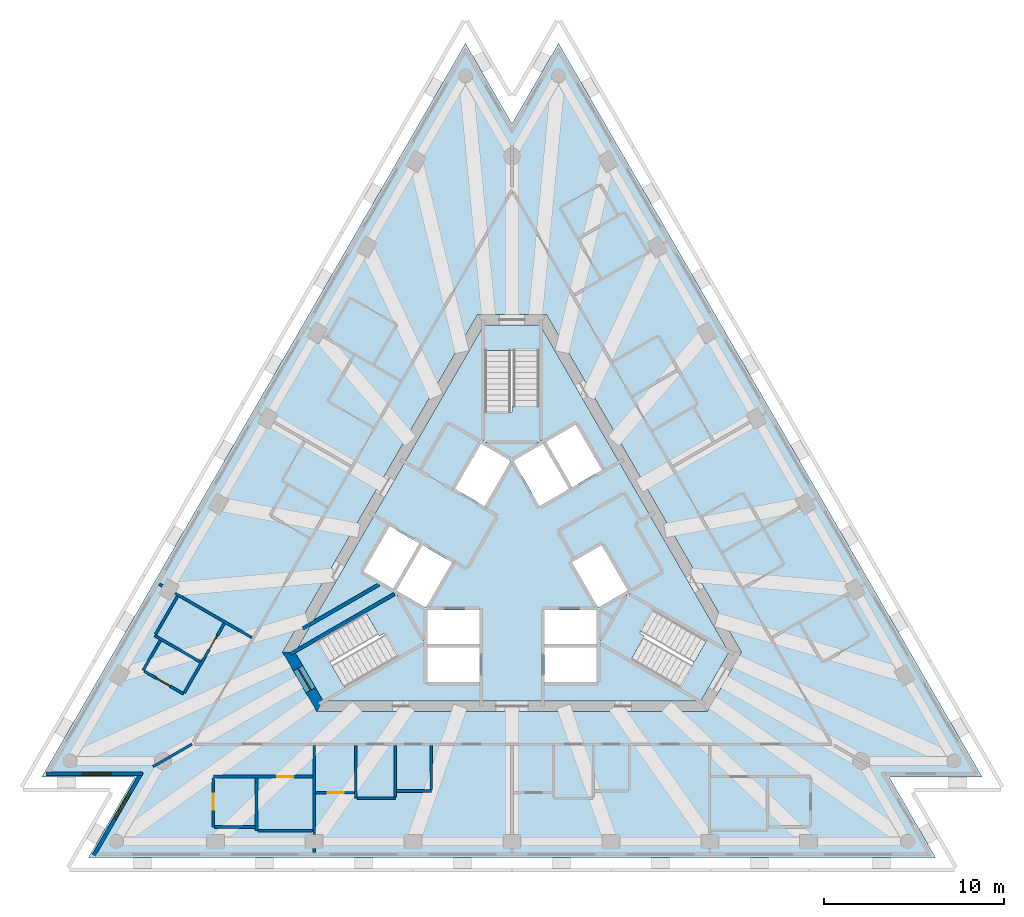
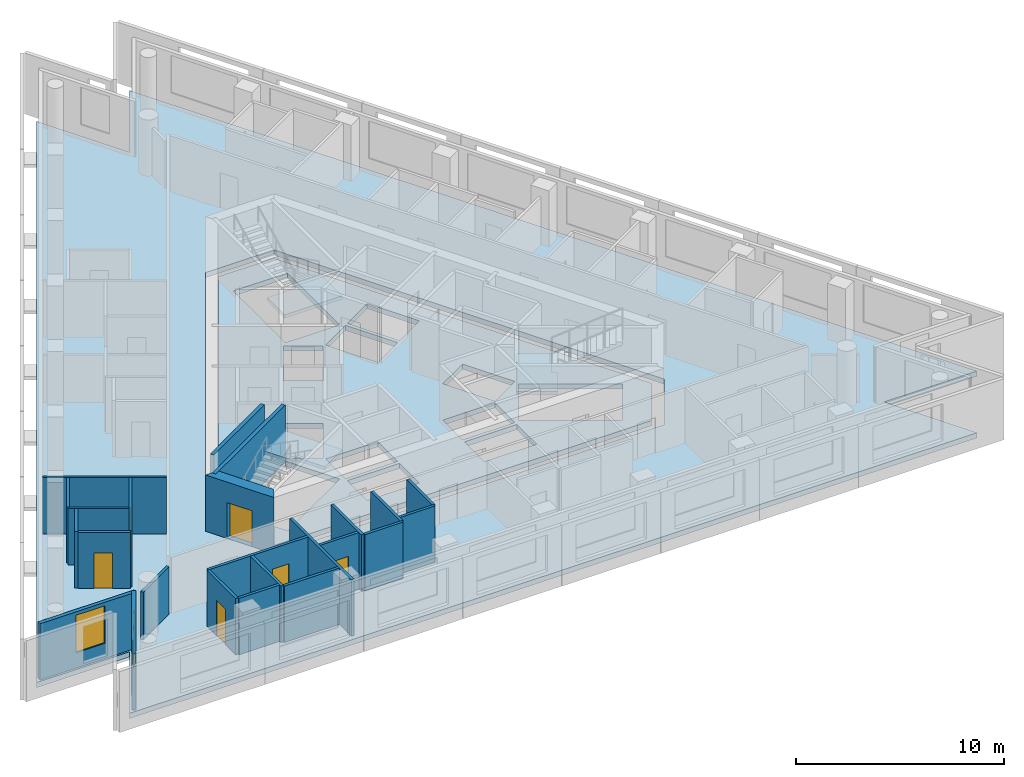
# One storey, part 2 of 9: 24 walls, 6 doors, 5 slabs, 2 windows, 8 openings, 3 elements without a shape of their own.
"""IFC4 building model written with IfcOpenShell, lengths in metres."""

from ifc_helpers import new_model, si_unit, direction, frame, frame_2d, origin, place, context, subcontext, project, spatial, polyline, rectangle, outline, extrude, material, layer, layer_set, layer_usage, type_object, element, fill, aggregate, save


model = new_model("IFC4")

# Units and contexts
model_context = context("Model", 3, precision=1e-05, world=origin(), true_north=direction((0.0, 1.0)))
body_context = subcontext(model_context, "Body", "Model", "MODEL_VIEW")
ifc_project = project(units=[si_unit("LENGTHUNIT", "METRE"), si_unit("AREAUNIT", "SQUARE_METRE"), si_unit("VOLUMEUNIT", "CUBIC_METRE"), si_unit("PLANEANGLEUNIT", "RADIAN"), si_unit("MASSUNIT", "GRAM", prefix="KILO")], contexts=[model_context])

# Site, building, storey
site_placement = place(None, origin())
site = spatial("IfcSite", under=ifc_project, at=site_placement, CompositionType="ELEMENT")
building_placement = place(site_placement, origin())
building = spatial("IfcBuilding", under=site, at=building_placement, Name="Triada Interchange Tower", CompositionType="ELEMENT")
storey_placement = place(building_placement, frame((0.0, 0.0, 282.699951171875)))
storey = spatial("IfcBuildingStorey", under=building, at=storey_placement, Name="L66", CompositionType="ELEMENT", Elevation=282.699951171875)

# Slabs
ifc_material_1 = material(Name="Concrete C50/60", Category="concrete")
ifc_layer_1 = layer(ifc_material_1, 0.300048828125)
ifc_layer_set_1 = layer_set([ifc_layer_1], Name="Floor slab 300")
slab_type_1 = type_object("IfcSlabType", Name="Floor slab 300", PredefinedType="FLOOR", material=ifc_layer_set_1)
slab_1_placement = place(storey_placement, frame((0.0, 0.0, -0.300048828125)))
element("IfcSlab", 1, at=slab_1_placement, inside=storey, type_object=slab_type_1, Name="Floor slab L66", PredefinedType="FLOOR", context=body_context, shape_type="SweptSolid", body=[
    extrude(outline(polyline([(-2.5810546875, 28.637939453125), (-26.092041015625, -12.083984375), (-20.930908203125, -12.083984375), (-23.510986328125, -16.553955078125), (23.510986328125, -16.553955078125), (20.930908203125, -12.083984375), (26.092041015625, -12.083984375), (2.5810546875, 28.637939453125), (0.0, 24.1689453125), (-2.5810546875, 28.637939453125)]), holes=[polyline([(1.905029296875, 13.60009765625), (-1.905029296875, 13.60009765625), (-12.73095703125, -5.14990234375), (-10.824951171875, -8.449951171875), (10.824951171875, -8.449951171875), (12.73095703125, -5.14990234375), (1.905029296875, 13.60009765625)])]), origin(), (0.0, 0.0, 1.0), 0.300048828125),
])
slab_2_placement = place(storey_placement, frame((0.0, 0.0, -0.300048828125)))
element("IfcSlab", 2, at=slab_2_placement, inside=storey, type_object=slab_type_1, Name="Core floor slab L66 1", PredefinedType="FLOOR", context=body_context, shape_type="SweptSolid", body=[
    extrude(outline(polyline([(12.0380859375, -5.14990234375), (10.47900390625, -7.85009765625), (-10.47900390625, -7.85009765625), (-12.0380859375, -5.14990234375), (-1.55908203125, 13.0), (1.55908203125, 13.0), (12.0380859375, -5.14990234375)]), holes=[polyline([(9.2958984375, -7.09912109375), (10.7958984375, -4.5009765625), (6.466064453125, -2.0009765625), (4.966064453125, -4.59912109375), (9.2958984375, -7.09912109375)]), polyline([(4.969970703125, 0.791015625), (3.324951171875, -0.158935546875), (4.77490234375, -2.669921875), (6.419921875, -1.719970703125), (4.969970703125, 0.791015625)]), polyline([(1.89404296875, 6.52001953125), (3.343994140625, 4.009033203125), (4.989013671875, 4.958984375), (3.5390625, 7.469970703125), (1.89404296875, 6.52001953125)]), polyline([(1.800048828125, -4.89990234375), (1.800048828125, -6.4990234375), (1.800048828125, -6.800048828125), (4.699951171875, -6.800048828125), (4.699951171875, -4.89990234375), (1.800048828125, -4.89990234375)]), polyline([(4.699951171875, -2.800048828125), (1.800048828125, -2.800048828125), (1.800048828125, -4.699951171875), (4.699951171875, -4.699951171875), (4.699951171875, -2.800048828125)]), polyline([(1.52490234375, 2.958984375), (2.594970703125, 3.576904296875), (3.169921875, 3.908935546875), (1.719970703125, 6.419921875), (0.074951171875, 5.469970703125), (1.52490234375, 2.958984375)]), polyline([(-1.5, 11.60009765625), (-1.5, 6.60009765625), (1.5, 6.60009765625), (1.5, 11.60009765625), (-1.5, 11.60009765625)]), polyline([(-1.52490234375, 2.958984375), (-0.074951171875, 5.469970703125), (-1.719970703125, 6.419921875), (-3.169921875, 3.908935546875), (-1.52490234375, 2.958984375)]), polyline([(-1.800048828125, -2.800048828125), (-4.699951171875, -2.800048828125), (-4.699951171875, -4.699951171875), (-1.800048828125, -4.699951171875), (-1.800048828125, -2.800048828125)]), polyline([(-4.699951171875, -6.800048828125), (-1.800048828125, -6.800048828125), (-1.800048828125, -6.4990234375), (-1.800048828125, -4.89990234375), (-4.699951171875, -4.89990234375), (-4.699951171875, -6.800048828125)]), polyline([(-3.427978515625, -0.09912109375), (-4.969970703125, 0.791015625), (-6.419921875, -1.719970703125), (-4.77490234375, -2.669921875), (-3.324951171875, -0.158935546875), (-3.427978515625, -0.09912109375)]), polyline([(-10.7958984375, -4.5009765625), (-9.2958984375, -7.09912109375), (-4.966064453125, -4.59912109375), (-6.466064453125, -2.0009765625), (-10.7958984375, -4.5009765625)]), polyline([(-6.593994140625, -1.6201171875), (-5.14404296875, 0.89111328125), (-6.7890625, 1.841064453125), (-8.239013671875, -0.669921875), (-6.593994140625, -1.6201171875)])]), origin(), (0.0, 0.0, 1.0), 0.300048828125),
])

# Stair, slab
ifc_material_2 = material(Name="Concrete C35/45", Category="concrete")
stair_type = type_object("IfcStairType", Name="HALF TURN STAIR 1400", PredefinedType="HALF_TURN_STAIR", material=ifc_material_2)
stair_1_placement = place(storey_placement, origin())
stair_1 = element("IfcStair", 3, at=stair_1_placement, inside=storey, type_object=stair_type, Name="Exit stair S65-1", PredefinedType="HALF_TURN_STAIR")
ifc_layer_2 = layer(ifc_material_2, 0.199951171875)
ifc_layer_set_2 = layer_set([ifc_layer_2], Name="STAIR LANDING 200")
slab_type_2 = type_object("IfcSlabType", Name="STAIR LANDING 200", PredefinedType="LANDING", material=ifc_layer_set_2)
slab_3_placement = place(storey_placement, frame((0.0, 0.0, 1.521728515625)))
slab_3 = element("IfcSlab", 4, at=slab_3_placement, type_object=slab_type_2, Name="S65-1 landing 1", PredefinedType="LANDING", context=body_context, shape_type="SweptSolid", body=[
    extrude(outline(polyline([(1.60009765625, 6.5), (1.60009765625, 8.5), (0.0, 8.5), (0.0, 8.18994140625), (-1.60009765625, 8.18994140625), (-1.60009765625, 6.5), (1.60009765625, 6.5)])), origin(), (0.0, 0.0, 1.0), 0.199951171875),
])
aggregate(stair_1, [slab_3])

stair_2_placement = place(storey_placement, origin())
stair_2 = element("IfcStair", 5, at=stair_2_placement, inside=storey, type_object=stair_type, Name="Exit stair S65-2", PredefinedType="HALF_TURN_STAIR")
slab_4_placement = place(storey_placement, frame((0.0, 0.0, 1.521728515625)))
slab_4 = element("IfcSlab", 6, at=slab_4_placement, type_object=slab_type_2, Name="S65-2 landing 1", PredefinedType="LANDING", context=body_context, shape_type="SweptSolid", body=[
    extrude(outline(polyline([(-6.428955078125, -1.864013671875), (-8.160888671875, -2.864013671875), (-7.361083984375, -4.25), (-7.093017578125, -4.094970703125), (-6.29296875, -5.48095703125), (-4.8291015625, -4.635986328125), (-6.428955078125, -1.864013671875)])), origin(), (0.0, 0.0, 1.0), 0.199951171875),
])
aggregate(stair_2, [slab_4])

stair_3_placement = place(storey_placement, origin())
stair_3 = element("IfcStair", 7, at=stair_3_placement, inside=storey, type_object=stair_type, Name="Exit stair S65-3", PredefinedType="HALF_TURN_STAIR")
slab_5_placement = place(storey_placement, frame((0.0, 0.0, 1.521728515625)))
slab_5 = element("IfcSlab", 8, at=slab_5_placement, type_object=slab_type_2, Name="S65-3 landing 1", PredefinedType="LANDING", context=body_context, shape_type="SweptSolid", body=[
    extrude(outline(polyline([(4.8291015625, -4.635986328125), (6.56103515625, -5.635986328125), (7.361083984375, -4.25), (7.093017578125, -4.094970703125), (7.89306640625, -2.708984375), (6.428955078125, -1.864013671875), (4.8291015625, -4.635986328125)])), origin(), (0.0, 0.0, 1.0), 0.199951171875),
])
aggregate(stair_3, [slab_5])

# Walls
ifc_material_3 = material(Name="Concrete C30/37", Category="concrete")
ifc_layer_3 = layer(ifc_material_3, 0.199951171875)
ifc_layer_set_3 = layer_set([ifc_layer_3], Name="CORE WALL 200 EI 90")
wall_type_1 = type_object("IfcWallType", Name="CORE WALL 200 EI 90", PredefinedType="SOLIDWALL", material=ifc_layer_set_3)
wall_1_placement = place(storey_placement, frame((-11.597900390625, -3.8291015625, 0.0), z_axis=(0.0, 0.0, 1.0), x_axis=(0.865968383994, 0.500098748171, 0.0)))
element("IfcWall", 9, at=wall_1_placement, inside=storey, type_object=wall_type_1, Name="Wall L65 110", PredefinedType="SOLIDWALL", context=body_context, shape_type="SweptSolid", body=[
    extrude(rectangle(XDim=4.8671875, YDim=0.199951171875, at=frame_2d((2.43359375, 0.0))), origin(), (0.0, 0.0, 1.0), 3.300048828125),
])
ifc_layer_4 = layer(ifc_material_3, 0.199951171875)
ifc_layer_set_4 = layer_set([ifc_layer_4], Name="CORE WALL 200 REI 240")
wall_type_2 = type_object("IfcWallType", Name="CORE WALL 200 REI 240", PredefinedType="SOLIDWALL", material=ifc_layer_set_4)
wall_2_placement = place(storey_placement, frame((-12.301025390625, -5.25390625, 0.0), z_axis=(0.0, 0.0, 1.0), x_axis=(0.866068467981, 0.499925403204, 0.0)))
element("IfcWall", 10, at=wall_2_placement, inside=storey, type_object=wall_type_2, Name="Wall L65 115", PredefinedType="SOLIDWALL", context=body_context, shape_type="SweptSolid", body=[
    extrude(rectangle(XDim=6.66455078125, YDim=0.199951171875, at=frame_2d((3.332275390625, 0.0))), origin(), (0.0, 0.0, 1.0), 3.300048828125),
])

# Wall, opening, door
ifc_material_4 = material(Name="Concrete C40/50", Category="concrete")
ifc_layer_5 = layer(ifc_material_4, 0.60009765625)
ifc_layer_set_5 = layer_set([ifc_layer_5], Name="Core wall D 600")
wall_type_3 = type_object("IfcWallType", Name="Core wall D 600", PredefinedType="SHEAR", material=ifc_layer_set_5)
wall_3_placement = place(storey_placement, frame((-12.384033203125, -5.14990234375, -0.300048828125), z_axis=(0.0, 0.0, 1.0), x_axis=(0.49997462182, -0.866040055388, 0.0)))
wall_3 = element("IfcWall", 11, at=wall_3_placement, inside=storey, type_object=wall_type_3, Name="Core wall WD03 L66", PredefinedType="SHEAR", context=body_context, shape_type="SweptSolid", body=[
    extrude(outline(polyline([(-0.173095703125, -0.301025390625), (1.73193359375, -0.300537109375), (3.636962890625, -0.300048828125), (3.291015625, 0.300048828125), (1.73193359375, 0.300048828125), (0.173095703125, 0.300048828125), (-0.173095703125, -0.301025390625)])), origin(), (0.0, 0.0, 1.0), 3.60009765625),
])
opening_1_placement = place(wall_3_placement, frame((1.031982421875, 0.0, 0.300048828125)))
opening_1 = element("IfcOpeningElement", 12, at=opening_1_placement, cuts=wall_3, Name="Opening D65-50", PredefinedType="OPENING", context=body_context, shape_type="SweptSolid", body=[
    extrude(rectangle(XDim=1.39990234375, YDim=2.10009765625, at=frame_2d((0.699951171875, 1.050048828125))), frame((0.0, 0.31005859375, 0.0), z_axis=(0.0, -1.0, 0.0), x_axis=(1.0, 0.0, 0.0)), (0.0, 0.0, 1.0), 0.62109375),
])
ifc_material_5 = material(Name="Steel S235 door leaf", Category="steel")
door_type_1 = type_object("IfcDoorType", Name="STAIR DOOR 1400 EI2 90-C5S200", OperationType="DOUBLE_DOOR_SINGLE_SWING", PredefinedType="DOOR", material=ifc_material_5)
door_1_placement = place(opening_1_placement, origin())
door_1 = element("IfcDoor", 13, at=door_1_placement, inside=storey, type_object=door_type_1, Name="Door D65-50 L66", OperationType="DOUBLE_DOOR_SINGLE_SWING", OverallHeight=2.10009765625, OverallWidth=1.39990234375, PredefinedType="DOOR", context=body_context, shape_type="SweptSolid", body=[
    extrude(rectangle(XDim=1.39990234375, YDim=2.10009765625, at=frame_2d((0.699951171875, 1.050048828125))), frame((0.0, 0.02490234375, 0.0), z_axis=(0.0, -1.0, 0.0), x_axis=(1.0, 0.0, 0.0)), (0.0, 0.0, 1.0), 0.050048828125),
])
fill(opening_1, door_1)

# Wall, opening, window
ifc_material_6 = material(Name="Cement board")
ifc_layer_6 = layer(ifc_material_6, 0.02001953125, Name="Cement board cladding")
ifc_material_7 = material(Name="Sheathing board")
ifc_layer_7 = layer(ifc_material_7, 0.014892578125, Name="Sheathing board")
ifc_material_8 = material(Name="Mineral wool")
ifc_layer_8 = layer(ifc_material_8, 0.14990234375, Name="Mineral wool between steel studs")
ifc_material_9 = material(Name="Gypsum board")
ifc_layer_9 = layer(ifc_material_9, 0.014892578125, Name="Plasterboard lining")
ifc_layer_set_6 = layer_set([ifc_layer_6, ifc_layer_7, ifc_layer_8, ifc_layer_9], Name="External wall 200")
ifc_layer_usage = layer_usage(ifc_layer_set_6, "AXIS2", "POSITIVE", -0.10009765625)
wall_type_4 = type_object("IfcWallType", Name="External wall 200", PredefinedType="ELEMENTEDWALL", material=ifc_layer_set_6)
wall_4_placement = place(storey_placement, frame((-25.8359375, -11.884033203125, 0.0), z_axis=(0.0, 0.0, 1.0), x_axis=(1.0, 0.0, 0.0)))
wall_4 = element("IfcWall", 14, at=wall_4_placement, inside=storey, type_object=wall_type_4, material=ifc_layer_usage, Name="External wall L66 SW-1", PredefinedType="ELEMENTEDWALL", context=body_context, shape_type="SweptSolid", body=[
    extrude(rectangle(XDim=5.321044921875, YDim=0.199951171875, at=frame_2d((2.66064453125, 0.0))), origin(), (0.0, 0.0, 1.0), 3.300048828125),
])
opening_2_placement = place(wall_4_placement, frame((1.989990234375, 0.0, 0.89990234375)))
opening_2 = element("IfcOpeningElement", 15, at=opening_2_placement, cuts=wall_4, Name="Opening WD09", PredefinedType="OPENING", context=body_context, shape_type="SweptSolid", body=[
    extrude(rectangle(XDim=1.60009765625, YDim=2.199951171875, at=frame_2d((0.800048828125, 1.10009765625))), frame((0.0, 0.10986328125, 0.0), z_axis=(0.0, -1.0, 0.0), x_axis=(1.0, 0.0, 0.0)), (0.0, 0.0, 1.0), 0.219970703125),
])
ifc_material_10 = material(Name="Double glazed aluminium window", Category="aluminium")
window_type = type_object("IfcWindowType", Name="Ribbon window D pocket", PartitioningType="SINGLE_PANEL", PredefinedType="WINDOW", material=ifc_material_10)
window_1_placement = place(opening_2_placement, origin())
window_1 = element("IfcWindow", 16, at=window_1_placement, inside=storey, type_object=window_type, Name="Window L66 SW-1 1", OverallHeight=2.199951171875, OverallWidth=1.60009765625, PartitioningType="SINGLE_PANEL", PredefinedType="WINDOW", context=body_context, shape_type="SweptSolid", body=[
    extrude(rectangle(XDim=1.60009765625, YDim=2.199951171875, at=frame_2d((0.800048828125, 1.10009765625))), frame((0.0, 0.030029296875, 0.0), z_axis=(0.0, -1.0, 0.0), x_axis=(1.0, 0.0, 0.0)), (0.0, 0.0, 1.0), 0.06005859375),
])
fill(opening_2, window_1)

wall_5_placement = place(storey_placement, frame((-20.5400390625, -11.805908203125, 0.0), z_axis=(0.0, 0.0, 1.0), x_axis=(-0.499834978903, -0.866120657798, 0.0)))
wall_5 = element("IfcWall", 17, at=wall_5_placement, inside=storey, type_object=wall_type_4, material=ifc_layer_usage, Name="External wall L66 SW-2", PredefinedType="ELEMENTEDWALL", context=body_context, shape_type="SweptSolid", body=[
    extrude(rectangle(XDim=5.321533203125, YDim=0.199951171875, at=frame_2d((2.66064453125, 0.0))), origin(), (0.0, 0.0, 1.0), 3.300048828125),
])
opening_3_placement = place(wall_5_placement, frame((1.389892578125, 0.0, 0.89990234375)))
opening_3 = element("IfcOpeningElement", 18, at=opening_3_placement, cuts=wall_5, Name="Opening WD10", PredefinedType="OPENING", context=body_context, shape_type="SweptSolid", body=[
    extrude(rectangle(XDim=1.60009765625, YDim=2.199951171875, at=frame_2d((0.800048828125, 1.10009765625))), frame((0.0, 0.10986328125, 0.0), z_axis=(0.0, -1.0, 0.0), x_axis=(1.0, 0.0, 0.0)), (0.0, 0.0, 1.0), 0.219970703125),
])
window_2_placement = place(opening_3_placement, origin())
window_2 = element("IfcWindow", 19, at=window_2_placement, inside=storey, type_object=window_type, Name="Window L66 SW-2 1", OverallHeight=2.199951171875, OverallWidth=1.60009765625, PartitioningType="SINGLE_PANEL", PredefinedType="WINDOW", context=body_context, shape_type="SweptSolid", body=[
    extrude(rectangle(XDim=1.60009765625, YDim=2.199951171875, at=frame_2d((0.800048828125, 1.10009765625))), frame((0.0, 0.030029296875, 0.0), z_axis=(0.0, -1.0, 0.0), x_axis=(1.0, 0.0, 0.0)), (0.0, 0.0, 1.0), 0.06005859375),
])
fill(opening_3, window_2)

# Walls
ifc_material_11 = material(Name="Gypsum board partition")
ifc_layer_10 = layer(ifc_material_11, 0.14990234375)
ifc_layer_set_7 = layer_set([ifc_layer_10], Name="PARTITION 150 EI 180")
wall_type_5 = type_object("IfcWallType", Name="PARTITION 150 EI 180", PredefinedType="PARTITIONING", material=ifc_layer_set_7)
wall_6_placement = place(storey_placement, frame((-19.908935546875, -11.493896484375, 0.0), z_axis=(0.0, 0.0, 1.0), x_axis=(0.86600757835, 0.500030873288, 0.0)))
element("IfcWall", 20, at=wall_6_placement, inside=storey, type_object=wall_type_5, Name="Wall L65 1", PredefinedType="PARTITIONING", context=body_context, shape_type="SweptSolid", body=[
    extrude(rectangle(XDim=2.489501953125, YDim=0.14990234375, at=frame_2d((1.24462890625, 0.0))), origin(), (0.0, 0.0, 1.0), 2.800048828125),
])
wall_7_placement = place(storey_placement, frame((-19.58203125, -1.367919921875, 0.0), z_axis=(0.0, 0.0, 1.0), x_axis=(0.865986712877, -0.50006700863, 0.0)))
element("IfcWall", 21, at=wall_7_placement, inside=storey, type_object=wall_type_5, Name="Wall L65 3", PredefinedType="PARTITIONING", context=body_context, shape_type="SweptSolid", body=[
    extrude(rectangle(XDim=5.949462890625, YDim=0.14990234375, at=frame_2d((2.974609375, 0.0))), origin(), (0.0, 0.0, 1.0), 3.300048828125),
])
wall_8_placement = place(storey_placement, frame((-10.97607421875, -16.27392578125, 0.0), z_axis=(0.0, 0.0, 1.0), x_axis=(0.0, 1.0, 0.0)))
element("IfcWall", 22, at=wall_8_placement, inside=storey, type_object=wall_type_5, Name="Wall L65 9", PredefinedType="PARTITIONING", context=body_context, shape_type="SweptSolid", body=[
    extrude(rectangle(XDim=5.948974609375, YDim=0.14990234375, at=frame_2d((2.974609375, 0.0))), origin(), (0.0, 0.0, 1.0), 3.300048828125),
])
wall_9_placement = place(storey_placement, frame((-8.676025390625, -13.25, 0.0), z_axis=(0.0, 0.0, 1.0), x_axis=(0.0, 1.0, 0.0)))
element("IfcWall", 23, at=wall_9_placement, inside=storey, type_object=wall_type_5, Name="Wall L65 10", PredefinedType="PARTITIONING", context=body_context, shape_type="SweptSolid", body=[
    extrude(rectangle(XDim=2.925048828125, YDim=0.14990234375, at=frame_2d((1.46240234375, 0.0))), origin(), (0.0, 0.0, 1.0), 3.300048828125),
])
wall_10_placement = place(storey_placement, frame((-8.60107421875, -13.25, 0.0), z_axis=(0.0, 0.0, 1.0), x_axis=(1.0, 0.0, 0.0)))
element("IfcWall", 24, at=wall_10_placement, inside=storey, type_object=wall_type_5, Name="Wall L65 11", PredefinedType="PARTITIONING", context=body_context, shape_type="SweptSolid", body=[
    extrude(rectangle(XDim=2.125, YDim=0.14990234375, at=frame_2d((1.0625, 0.0))), origin(), (0.0, 0.0, 1.0), 3.300048828125),
])
wall_11_placement = place(storey_placement, frame((-6.47607421875, -13.175048828125, 0.0), z_axis=(0.0, 0.0, 1.0), x_axis=(0.0, 1.0, 0.0)))
element("IfcWall", 25, at=wall_11_placement, inside=storey, type_object=wall_type_5, Name="Wall L65 13", PredefinedType="PARTITIONING", context=body_context, shape_type="SweptSolid", body=[
    extrude(rectangle(XDim=2.85009765625, YDim=0.14990234375, at=frame_2d((1.425048828125, 0.0))), origin(), (0.0, 0.0, 1.0), 3.300048828125),
])
wall_12_placement = place(storey_placement, frame((-6.40087890625, -12.85009765625, 0.0), z_axis=(0.0, 0.0, 1.0), x_axis=(1.0, 0.0, 0.0)))
element("IfcWall", 26, at=wall_12_placement, inside=storey, type_object=wall_type_5, Name="Wall L65 14", PredefinedType="PARTITIONING", context=body_context, shape_type="SweptSolid", body=[
    extrude(rectangle(XDim=1.9248046875, YDim=0.14990234375, at=frame_2d((0.96240234375, 0.0))), origin(), (0.0, 0.0, 1.0), 3.300048828125),
])
wall_13_placement = place(storey_placement, frame((-4.47607421875, -12.77490234375, 0.0), z_axis=(0.0, 0.0, 1.0), x_axis=(0.0, 1.0, 0.0)))
element("IfcWall", 27, at=wall_13_placement, inside=storey, type_object=wall_type_5, Name="Wall L65 16", PredefinedType="PARTITIONING", context=body_context, shape_type="SweptSolid", body=[
    extrude(rectangle(XDim=2.449951171875, YDim=0.14990234375, at=frame_2d((1.22509765625, 0.0))), origin(), (0.0, 0.0, 1.0), 3.300048828125),
])
ifc_layer_11 = layer(ifc_material_11, 0.14990234375)
ifc_layer_set_8 = layer_set([ifc_layer_11], Name="PARTITION 150 EI 90")
wall_type_6 = type_object("IfcWallType", Name="PARTITION 150 EI 90", PredefinedType="PARTITIONING", material=ifc_layer_set_8)
wall_14_placement = place(storey_placement, frame((-19.822021484375, -4.23193359375, 0.0), z_axis=(0.0, 0.0, 1.0), x_axis=(0.866145293007, -0.499792288257, 0.0)))
element("IfcWall", 28, at=wall_14_placement, inside=storey, type_object=wall_type_6, Name="Wall L65 31", PredefinedType="PARTITIONING", context=body_context, shape_type="SweptSolid", body=[
    extrude(rectangle(XDim=2.925537109375, YDim=0.14990234375, at=frame_2d((1.462890625, 0.0))), origin(), (0.0, 0.0, 1.0), 3.300048828125),
])
wall_15_placement = place(storey_placement, frame((-20.47509765625, -6.1640625, 0.0), z_axis=(0.0, 0.0, 1.0), x_axis=(0.499890818081, 0.866088430819, 0.0)))
element("IfcWall", 29, at=wall_15_placement, inside=storey, type_object=wall_type_6, Name="Wall L65 32", PredefinedType="PARTITIONING", context=body_context, shape_type="SweptSolid", body=[
    extrude(rectangle(XDim=1.9248046875, YDim=0.14990234375, at=frame_2d((0.96240234375, 0.0))), origin(), (0.0, 0.0, 1.0), 3.300048828125),
])

# Wall, opening, door
wall_16_placement = place(storey_placement, frame((-20.409912109375, -6.200927734375, 0.0), z_axis=(0.0, 0.0, 1.0), x_axis=(0.86593764446, -0.500151972811, 0.0)))
wall_16 = element("IfcWall", 30, at=wall_16_placement, inside=storey, type_object=wall_type_6, Name="Wall L65 33", PredefinedType="PARTITIONING", context=body_context, shape_type="SweptSolid", body=[
    extrude(rectangle(XDim=2.525634765625, YDim=0.14990234375, at=frame_2d((1.2626953125, 0.0))), origin(), (0.0, 0.0, 1.0), 3.300048828125),
])
opening_4_placement = place(wall_16_placement, frame((0.77490234375, 0.0, 0.0)))
opening_4 = element("IfcOpeningElement", 31, at=opening_4_placement, cuts=wall_16, Name="Opening D65-47", PredefinedType="OPENING", context=body_context, shape_type="SweptSolid", body=[
    extrude(rectangle(XDim=0.89990234375, YDim=2.10009765625, at=frame_2d((0.449951171875, 1.050048828125))), frame((0.0, 0.0849609375, 0.0), z_axis=(0.0, -1.0, 0.0), x_axis=(1.0, 0.0, 0.0)), (0.0, 0.0, 1.0), 0.169921875),
])
door_type_2 = type_object("IfcDoorType", Name="SERVICE DOOR 900 EI2 45-C5S200", OperationType="NOTDEFINED", PredefinedType="DOOR", material=ifc_material_5)
door_2_placement = place(opening_4_placement, origin())
door_2 = element("IfcDoor", 32, at=door_2_placement, inside=storey, type_object=door_type_2, Name="Door D65-47 L66", OperationType="SINGLE_SWING_LEFT", OverallHeight=2.10009765625, OverallWidth=0.89990234375, PredefinedType="DOOR", context=body_context, shape_type="SweptSolid", body=[
    extrude(rectangle(XDim=0.89990234375, YDim=2.10009765625, at=frame_2d((0.449951171875, 1.050048828125))), frame((0.0, 0.02490234375, 0.0), z_axis=(0.0, -1.0, 0.0), x_axis=(1.0, 0.0, 0.0)), (0.0, 0.0, 1.0), 0.050048828125),
])
fill(opening_4, door_2)

wall_17_placement = place(storey_placement, frame((-18.18603515625, -7.39892578125, 0.0), z_axis=(0.0, 0.0, 1.0), x_axis=(0.49999788721, 0.866026623601, 0.0)))
wall_17 = element("IfcWall", 33, at=wall_17_placement, inside=storey, type_object=wall_type_6, Name="Wall L65 34", PredefinedType="PARTITIONING", context=body_context, shape_type="SweptSolid", body=[
    extrude(rectangle(XDim=4.4501953125, YDim=0.14990234375, at=frame_2d((2.22509765625, 0.0))), origin(), (0.0, 0.0, 1.0), 3.300048828125),
])
opening_5_placement = place(wall_17_placement, frame((2.77490234375, 0.0, 0.0)))
opening_5 = element("IfcOpeningElement", 34, at=opening_5_placement, cuts=wall_17, Name="Opening D65-46", PredefinedType="OPENING", context=body_context, shape_type="SweptSolid", body=[
    extrude(rectangle(XDim=0.89990234375, YDim=2.10009765625, at=frame_2d((0.449951171875, 1.050048828125))), frame((0.0, 0.0849609375, 0.0), z_axis=(0.0, -1.0, 0.0), x_axis=(1.0, 0.0, 0.0)), (0.0, 0.0, 1.0), 0.169921875),
])
door_type_3 = type_object("IfcDoorType", Name="ROOM DOOR 900 EI2 45-C5S200", OperationType="NOTDEFINED", PredefinedType="DOOR", material=ifc_material_5)
door_3_placement = place(opening_5_placement, origin())
door_3 = element("IfcDoor", 35, at=door_3_placement, inside=storey, type_object=door_type_3, Name="Door D65-46 L66", OperationType="SINGLE_SWING_RIGHT", OverallHeight=2.10009765625, OverallWidth=0.89990234375, PredefinedType="DOOR", context=body_context, shape_type="SweptSolid", body=[
    extrude(rectangle(XDim=0.89990234375, YDim=2.10009765625, at=frame_2d((0.449951171875, 1.050048828125))), frame((0.0, 0.02490234375, 0.0), z_axis=(0.0, -1.0, 0.0), x_axis=(1.0, 0.0, 0.0)), (0.0, 0.0, 1.0), 0.050048828125),
])
fill(opening_5, door_3)

# Walls
wall_18_placement = place(storey_placement, frame((-19.783935546875, -4.1669921875, 0.0), z_axis=(0.0, 0.0, 1.0), x_axis=(0.499900713578, 0.866082719239, 0.0)))
element("IfcWall", 36, at=wall_18_placement, inside=storey, type_object=wall_type_6, Name="Wall L65 36", PredefinedType="PARTITIONING", context=body_context, shape_type="SweptSolid", body=[
    extrude(rectangle(XDim=2.4501953125, YDim=0.14990234375, at=frame_2d((1.22509765625, 0.0))), origin(), (0.0, 0.0, 1.0), 3.300048828125),
])
wall_19_placement = place(storey_placement, frame((-14.176025390625, -15.050048828125, 0.0), z_axis=(0.0, 0.0, 1.0), x_axis=(0.0, 1.0, 0.0)))
element("IfcWall", 37, at=wall_19_placement, inside=storey, type_object=wall_type_6, Name="Wall L65 38", PredefinedType="PARTITIONING", context=body_context, shape_type="SweptSolid", body=[
    extrude(rectangle(XDim=2.925048828125, YDim=0.14990234375, at=frame_2d((1.46240234375, 0.0))), origin(), (0.0, 0.0, 1.0), 3.300048828125),
])

# Wall, opening, door
wall_20_placement = place(storey_placement, frame((-16.575927734375, -12.050048828125, 0.0), z_axis=(0.0, 0.0, 1.0), x_axis=(1.0, 0.0, 0.0)))
wall_20 = element("IfcWall", 38, at=wall_20_placement, inside=storey, type_object=wall_type_6, Name="Wall L65 39", PredefinedType="PARTITIONING", context=body_context, shape_type="SweptSolid", body=[
    extrude(rectangle(XDim=5.52490234375, YDim=0.14990234375, at=frame_2d((2.762451171875, 0.0))), origin(), (0.0, 0.0, 1.0), 3.300048828125),
])
opening_6_placement = place(wall_20_placement, frame((3.550048828125, 0.0, 0.0)))
opening_6 = element("IfcOpeningElement", 39, at=opening_6_placement, cuts=wall_20, Name="Opening D65-12", PredefinedType="OPENING", context=body_context, shape_type="SweptSolid", body=[
    extrude(rectangle(XDim=0.89990234375, YDim=2.10009765625, at=frame_2d((0.449951171875, 1.050048828125))), frame((0.0, 0.0849609375, 0.0), z_axis=(0.0, -1.0, 0.0), x_axis=(1.0, 0.0, 0.0)), (0.0, 0.0, 1.0), 0.169921875),
])
door_4_placement = place(opening_6_placement, origin())
door_4 = element("IfcDoor", 40, at=door_4_placement, inside=storey, type_object=door_type_3, Name="Door D65-12 L66", OperationType="SINGLE_SWING_LEFT", OverallHeight=2.10009765625, OverallWidth=0.89990234375, PredefinedType="DOOR", context=body_context, shape_type="SweptSolid", body=[
    extrude(rectangle(XDim=0.89990234375, YDim=2.10009765625, at=frame_2d((0.449951171875, 1.050048828125))), frame((0.0, 0.02490234375, 0.0), z_axis=(0.0, -1.0, 0.0), x_axis=(1.0, 0.0, 0.0)), (0.0, 0.0, 1.0), 0.050048828125),
])
fill(opening_6, door_4)

wall_21_placement = place(storey_placement, frame((-16.575927734375, -14.85009765625, 0.0), z_axis=(0.0, 0.0, 1.0), x_axis=(0.0, 1.0, 0.0)))
wall_21 = element("IfcWall", 41, at=wall_21_placement, inside=storey, type_object=wall_type_6, Name="Wall L65 41", PredefinedType="PARTITIONING", context=body_context, shape_type="SweptSolid", body=[
    extrude(rectangle(XDim=2.72509765625, YDim=0.14990234375, at=frame_2d((1.362548828125, 0.0))), origin(), (0.0, 0.0, 1.0), 3.300048828125),
])
opening_7_placement = place(wall_21_placement, frame((0.949951171875, 0.0, 0.0)))
opening_7 = element("IfcOpeningElement", 42, at=opening_7_placement, cuts=wall_21, Name="Opening D65-13", PredefinedType="OPENING", context=body_context, shape_type="SweptSolid", body=[
    extrude(rectangle(XDim=0.89990234375, YDim=2.10009765625, at=frame_2d((0.449951171875, 1.050048828125))), frame((0.0, 0.0849609375, 0.0), z_axis=(0.0, -1.0, 0.0), x_axis=(1.0, 0.0, 0.0)), (0.0, 0.0, 1.0), 0.169921875),
])
door_5_placement = place(opening_7_placement, origin())
door_5 = element("IfcDoor", 43, at=door_5_placement, inside=storey, type_object=door_type_2, Name="Door D65-13 L66", OperationType="SINGLE_SWING_RIGHT", OverallHeight=2.10009765625, OverallWidth=0.89990234375, PredefinedType="DOOR", context=body_context, shape_type="SweptSolid", body=[
    extrude(rectangle(XDim=0.89990234375, YDim=2.10009765625, at=frame_2d((0.449951171875, 1.050048828125))), frame((0.0, 0.02490234375, 0.0), z_axis=(0.0, -1.0, 0.0), x_axis=(1.0, 0.0, 0.0)), (0.0, 0.0, 1.0), 0.050048828125),
])
fill(opening_7, door_5)

# Walls
wall_22_placement = place(storey_placement, frame((-16.5009765625, -14.85009765625, 0.0), z_axis=(0.0, 0.0, 1.0), x_axis=(1.0, 0.0, 0.0)))
element("IfcWall", 44, at=wall_22_placement, inside=storey, type_object=wall_type_6, Name="Wall L65 42", PredefinedType="PARTITIONING", context=body_context, shape_type="SweptSolid", body=[
    extrude(rectangle(XDim=2.25, YDim=0.14990234375, at=frame_2d((1.125, 0.0))), origin(), (0.0, 0.0, 1.0), 3.300048828125),
])
wall_23_placement = place(storey_placement, frame((-14.10107421875, -15.050048828125, 0.0), z_axis=(0.0, 0.0, 1.0), x_axis=(1.0, 0.0, 0.0)))
element("IfcWall", 45, at=wall_23_placement, inside=storey, type_object=wall_type_6, Name="Wall L65 44", PredefinedType="PARTITIONING", context=body_context, shape_type="SweptSolid", body=[
    extrude(rectangle(XDim=3.050048828125, YDim=0.14990234375, at=frame_2d((1.52490234375, 0.0))), origin(), (0.0, 0.0, 1.0), 3.300048828125),
])

# Wall, opening, door
wall_24_placement = place(storey_placement, frame((-10.90087890625, -12.949951171875, 0.0), z_axis=(0.0, 0.0, 1.0), x_axis=(1.0, 0.0, 0.0)))
wall_24 = element("IfcWall", 46, at=wall_24_placement, inside=storey, type_object=wall_type_6, Name="Wall L65 51", PredefinedType="PARTITIONING", context=body_context, shape_type="SweptSolid", body=[
    extrude(rectangle(XDim=2.14990234375, YDim=0.14990234375, at=frame_2d((1.074951171875, 0.0))), origin(), (0.0, 0.0, 1.0), 3.300048828125),
])
opening_8_placement = place(wall_24_placement, frame((0.675048828125, 0.0, 0.0)))
opening_8 = element("IfcOpeningElement", 47, at=opening_8_placement, cuts=wall_24, Name="Opening D65-15", PredefinedType="OPENING", context=body_context, shape_type="SweptSolid", body=[
    extrude(rectangle(XDim=0.89990234375, YDim=2.10009765625, at=frame_2d((0.449951171875, 1.050048828125))), frame((0.0, 0.0849609375, 0.0), z_axis=(0.0, -1.0, 0.0), x_axis=(1.0, 0.0, 0.0)), (0.0, 0.0, 1.0), 0.169921875),
])
door_6_placement = place(opening_8_placement, origin())
door_6 = element("IfcDoor", 48, at=door_6_placement, inside=storey, type_object=door_type_3, Name="Door D65-15 L66", OperationType="SINGLE_SWING_LEFT", OverallHeight=2.10009765625, OverallWidth=0.89990234375, PredefinedType="DOOR", context=body_context, shape_type="SweptSolid", body=[
    extrude(rectangle(XDim=0.89990234375, YDim=2.10009765625, at=frame_2d((0.449951171875, 1.050048828125))), frame((0.0, 0.02490234375, 0.0), z_axis=(0.0, -1.0, 0.0), x_axis=(1.0, 0.0, 0.0)), (0.0, 0.0, 1.0), 0.050048828125),
])
fill(opening_8, door_6)

save(model, "model.ifc")
